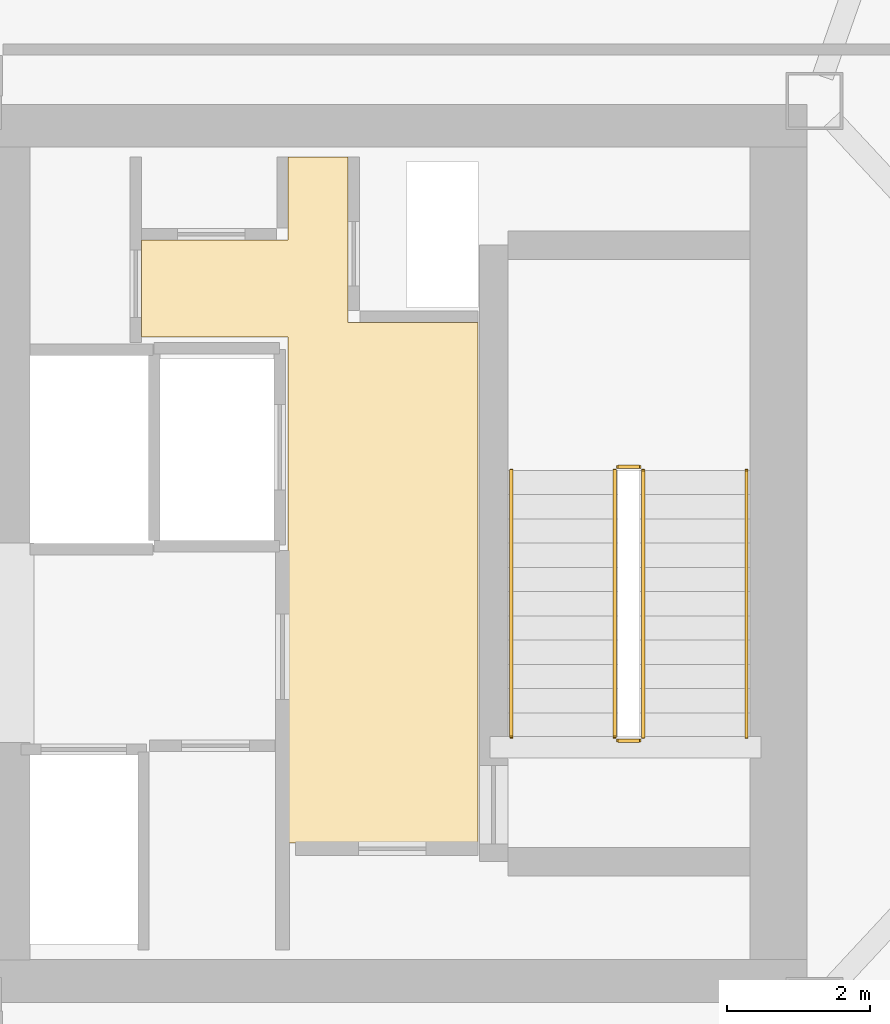
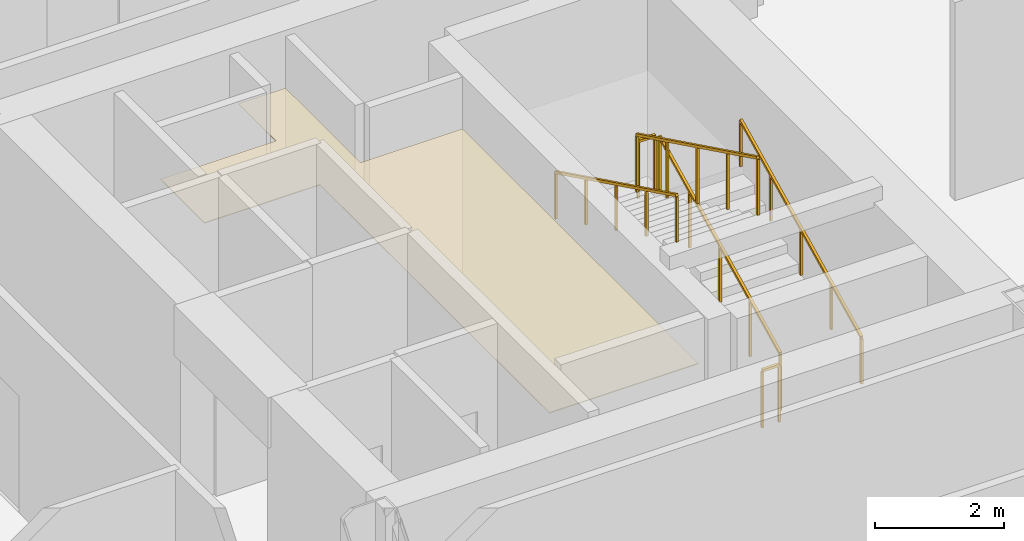
# One storey, part 20 of 20: 6 railings, 1 covering.
"""IFC4 building model written with IfcOpenShell, lengths in metres."""

from ifc_helpers import new_model, si_unit, direction, frame, origin, origin_2d, place, context, subcontext, project, spatial, polyline, rectangle, outline, extrude, material, layer, layer_set, type_object, element, save


model = new_model("IFC4")

# Units and contexts
model_context = context("Model", 3, precision=1e-05, world=origin(), true_north=direction((0.0, 1.0)))
body_context = subcontext(model_context, "Body", "Model", "MODEL_VIEW")
ifc_project = project(units=[si_unit("LENGTHUNIT", "METRE"), si_unit("AREAUNIT", "SQUARE_METRE"), si_unit("VOLUMEUNIT", "CUBIC_METRE"), si_unit("PLANEANGLEUNIT", "RADIAN"), si_unit("MASSUNIT", "GRAM", prefix="KILO")], contexts=[model_context])

# Site, building, storey
site_placement = place(None, origin())
site = spatial("IfcSite", under=ifc_project, at=site_placement, CompositionType="ELEMENT")
building_placement = place(site_placement, origin())
building = spatial("IfcBuilding", under=site, at=building_placement, Name="Tavrogorsk Clinical Tower", CompositionType="ELEMENT")
storey_placement = place(building_placement, frame((0.0, 0.0, 234.199951171875)))
storey = spatial("IfcBuildingStorey", under=building, at=storey_placement, Name="L54", CompositionType="ELEMENT", Elevation=234.199951171875)

# Covering
ifc_material_1 = material(Name="Antibacterial micro-perforated aluminium ceiling", Category="aluminium")
ifc_layer_1 = layer(ifc_material_1, 0.014892578125)
ifc_layer_set_1 = layer_set([ifc_layer_1], Name="Antibacterial micro-perforated aluminium ceiling")
covering_type = type_object("IfcCoveringType", Name="ClinicalCeiling_15", PredefinedType="CEILING", material=ifc_layer_set_1)
covering_placement = place(storey_placement, frame((0.0, 0.0, 2.75)))
element("IfcCovering", 1, at=covering_placement, inside=storey, type_object=covering_type, Name="Core East Firefighting Lift Lobby Acoustic Ceiling", PredefinedType="CEILING", context=body_context, shape_type="SweptSolid", body=[
    extrude(outline(polyline([(14.719970703125, 3.0400390625), (12.659912109375, 3.0400390625), (12.659912109375, 4.39990234375), (14.719970703125, 4.39990234375), (14.719970703125, 5.56005859375), (15.56005859375, 5.56005859375), (15.56005859375, 3.239990234375), (17.3798828125, 3.239990234375), (17.3798828125, -4.06005859375), (14.719970703125, -4.06005859375), (14.719970703125, 3.0400390625)])), origin(), (0.0, 0.0, 1.0), 0.01513671875),
])

# Railings
ifc_material_2 = material(Name="Galvanised steel S355 safety stairwell guard", Category="steel")
ifc_layer_2 = layer(ifc_material_2, 0.06005859375)
ifc_layer_set_2 = layer_set([ifc_layer_2], Name="Galvanised steel S355 safety stairwell guard")
railing_type_1 = type_object("IfcRailingType", Name="StairGuard_1150", PredefinedType="GUARDRAIL", material=ifc_layer_set_2)
railing_1_placement = place(storey_placement, frame((19.699951171875, -2.574951171875, 0.166748046875)))
element("IfcRailing", 2, at=railing_1_placement, inside=storey, type_object=railing_type_1, Name="L54 ST-E stair guard 1", PredefinedType="GUARDRAIL", context=body_context, shape_type="SweptSolid", body=[
    extrude(rectangle(XDim=0.048095703125, YDim=0.048095703125, at=origin_2d()), frame((0.0, 0.0, 1.076171875), z_axis=(0.0, 0.897927990467, 0.440142390523), x_axis=(-1.0, 0.0, 0.0)), (0.0, 0.0, 1.0), 4.1650390625),
    extrude(rectangle(XDim=0.0419921875, YDim=0.0419921875, at=origin_2d()), origin(), (0.0, 0.0, 1.0), 1.052001953125),
    extrude(rectangle(XDim=0.0419921875, YDim=0.0419921875, at=origin_2d()), frame((0.0, 0.93505859375, 0.458251953125)), (0.0, 0.0, 1.0), 1.052001953125),
    extrude(rectangle(XDim=0.0419921875, YDim=0.0419921875, at=origin_2d()), frame((0.0, 1.8701171875, 0.91650390625)), (0.0, 0.0, 1.0), 1.052001953125),
    extrude(rectangle(XDim=0.0419921875, YDim=0.0419921875, at=origin_2d()), frame((0.0, 2.804931640625, 1.375)), (0.0, 0.0, 1.0), 1.052001953125),
    extrude(rectangle(XDim=0.0419921875, YDim=0.0419921875, at=origin_2d()), frame((0.0, 3.739990234375, 1.833251953125)), (0.0, 0.0, 1.0), 1.052001953125),
])
railing_2_placement = place(storey_placement, frame((19.64990234375, 1.215087890625, 2.0)))
element("IfcRailing", 3, at=railing_2_placement, inside=storey, type_object=railing_type_1, Name="L54 ST-E stair guard 2", PredefinedType="GUARDRAIL", context=body_context, shape_type="SweptSolid", body=[
    extrude(rectangle(XDim=0.048095703125, YDim=0.048095703125, at=origin_2d()), frame((0.0, 0.0, 1.076171875), z_axis=(-1.0, 0.0, 0.0), x_axis=(0.0, -1.0, 0.0)), (0.0, 0.0, 1.0), 0.2998046875),
    extrude(rectangle(XDim=0.0419921875, YDim=0.0419921875, at=origin_2d()), origin(), (0.0, 0.0, 1.0), 1.052001953125),
    extrude(rectangle(XDim=0.0419921875, YDim=0.0419921875, at=origin_2d()), frame((-0.2998046875, 0.0, 0.0)), (0.0, 0.0, 1.0), 1.052001953125),
])
railing_3_placement = place(storey_placement, frame((19.300048828125, 1.1650390625, 2.166748046875)))
element("IfcRailing", 4, at=railing_3_placement, inside=storey, type_object=railing_type_1, Name="L54 ST-E stair guard 3", PredefinedType="GUARDRAIL", context=body_context, shape_type="SweptSolid", body=[
    extrude(rectangle(XDim=0.048095703125, YDim=0.048095703125, at=origin_2d()), frame((0.0, 0.0, 1.076171875), z_axis=(0.0, -0.897927990467, 0.440142390523), x_axis=(1.0, 0.0, 0.0)), (0.0, 0.0, 1.0), 4.1650390625),
    extrude(rectangle(XDim=0.0419921875, YDim=0.0419921875, at=origin_2d()), origin(), (0.0, 0.0, 1.0), 1.052001953125),
    extrude(rectangle(XDim=0.0419921875, YDim=0.0419921875, at=origin_2d()), frame((0.0, -0.93505859375, 0.458251953125)), (0.0, 0.0, 1.0), 1.052001953125),
    extrude(rectangle(XDim=0.0419921875, YDim=0.0419921875, at=origin_2d()), frame((0.0, -1.8701171875, 0.91650390625)), (0.0, 0.0, 1.0), 1.052001953125),
    extrude(rectangle(XDim=0.0419921875, YDim=0.0419921875, at=origin_2d()), frame((0.0, -2.804931640625, 1.375)), (0.0, 0.0, 1.0), 1.052001953125),
    extrude(rectangle(XDim=0.0419921875, YDim=0.0419921875, at=origin_2d()), frame((0.0, -3.739990234375, 1.833251953125)), (0.0, 0.0, 1.0), 1.052001953125),
])
railing_4_placement = place(storey_placement, frame((19.64990234375, -2.625, 0.0)))
element("IfcRailing", 5, at=railing_4_placement, inside=storey, type_object=railing_type_1, Name="L54 ST-E stair guard 4", PredefinedType="GUARDRAIL", context=body_context, shape_type="SweptSolid", body=[
    extrude(rectangle(XDim=0.048095703125, YDim=0.048095703125, at=origin_2d()), frame((0.0, 0.0, 1.076171875), z_axis=(-1.0, 0.0, 0.0), x_axis=(0.0, -1.0, 0.0)), (0.0, 0.0, 1.0), 0.2998046875),
    extrude(rectangle(XDim=0.0419921875, YDim=0.0419921875, at=origin_2d()), origin(), (0.0, 0.0, 1.0), 1.052001953125),
    extrude(rectangle(XDim=0.0419921875, YDim=0.0419921875, at=origin_2d()), frame((-0.2998046875, 0.0, 0.0)), (0.0, 0.0, 1.0), 1.052001953125),
])
ifc_material_3 = material(Name="Stainless steel AISI 304 tubular handrail", Category="steel")
ifc_layer_3 = layer(ifc_material_3, 0.050048828125)
ifc_layer_set_3 = layer_set([ifc_layer_3], Name="Stainless steel AISI 304 tubular handrail")
railing_type_2 = type_object("IfcRailingType", Name="StairHandrail_920", PredefinedType="HANDRAIL", material=ifc_layer_set_3)
railing_5_placement = place(storey_placement, frame((21.14990234375, -2.574951171875, 0.166748046875)))
element("IfcRailing", 6, at=railing_5_placement, inside=storey, type_object=railing_type_2, Name="L54 ST-E stair handrail 1", PredefinedType="HANDRAIL", context=body_context, shape_type="SweptSolid", body=[
    extrude(rectangle(XDim=0.048095703125, YDim=0.048095703125, at=origin_2d()), frame((0.0, 0.0, 0.8759765625), z_axis=(0.0, 0.897927990467, 0.440142390523), x_axis=(-1.0, 0.0, 0.0)), (0.0, 0.0, 1.0), 4.1650390625),
    extrude(rectangle(XDim=0.0419921875, YDim=0.0419921875, at=origin_2d()), origin(), (0.0, 0.0, 1.0), 0.851806640625),
    extrude(rectangle(XDim=0.0419921875, YDim=0.0419921875, at=origin_2d()), frame((0.0, 0.93505859375, 0.458251953125)), (0.0, 0.0, 1.0), 0.851806640625),
    extrude(rectangle(XDim=0.0419921875, YDim=0.0419921875, at=origin_2d()), frame((0.0, 1.8701171875, 0.91650390625)), (0.0, 0.0, 1.0), 0.851806640625),
    extrude(rectangle(XDim=0.0419921875, YDim=0.0419921875, at=origin_2d()), frame((0.0, 2.804931640625, 1.375)), (0.0, 0.0, 1.0), 0.851806640625),
    extrude(rectangle(XDim=0.0419921875, YDim=0.0419921875, at=origin_2d()), frame((0.0, 3.739990234375, 1.833251953125)), (0.0, 0.0, 1.0), 0.851806640625),
])
railing_6_placement = place(storey_placement, frame((17.85009765625, 1.1650390625, 2.166748046875)))
element("IfcRailing", 7, at=railing_6_placement, inside=storey, type_object=railing_type_2, Name="L54 ST-E stair handrail 2", PredefinedType="HANDRAIL", context=body_context, shape_type="SweptSolid", body=[
    extrude(rectangle(XDim=0.048095703125, YDim=0.048095703125, at=origin_2d()), frame((0.0, 0.0, 0.8759765625), z_axis=(0.0, -0.897927990467, 0.440142390523), x_axis=(1.0, 0.0, 0.0)), (0.0, 0.0, 1.0), 4.1650390625),
    extrude(rectangle(XDim=0.0419921875, YDim=0.0419921875, at=origin_2d()), origin(), (0.0, 0.0, 1.0), 0.851806640625),
    extrude(rectangle(XDim=0.0419921875, YDim=0.0419921875, at=origin_2d()), frame((0.0, -0.93505859375, 0.458251953125)), (0.0, 0.0, 1.0), 0.851806640625),
    extrude(rectangle(XDim=0.0419921875, YDim=0.0419921875, at=origin_2d()), frame((0.0, -1.8701171875, 0.91650390625)), (0.0, 0.0, 1.0), 0.851806640625),
    extrude(rectangle(XDim=0.0419921875, YDim=0.0419921875, at=origin_2d()), frame((0.0, -2.804931640625, 1.375)), (0.0, 0.0, 1.0), 0.851806640625),
    extrude(rectangle(XDim=0.0419921875, YDim=0.0419921875, at=origin_2d()), frame((0.0, -3.739990234375, 1.833251953125)), (0.0, 0.0, 1.0), 0.851806640625),
])

save(model, "model.ifc")
